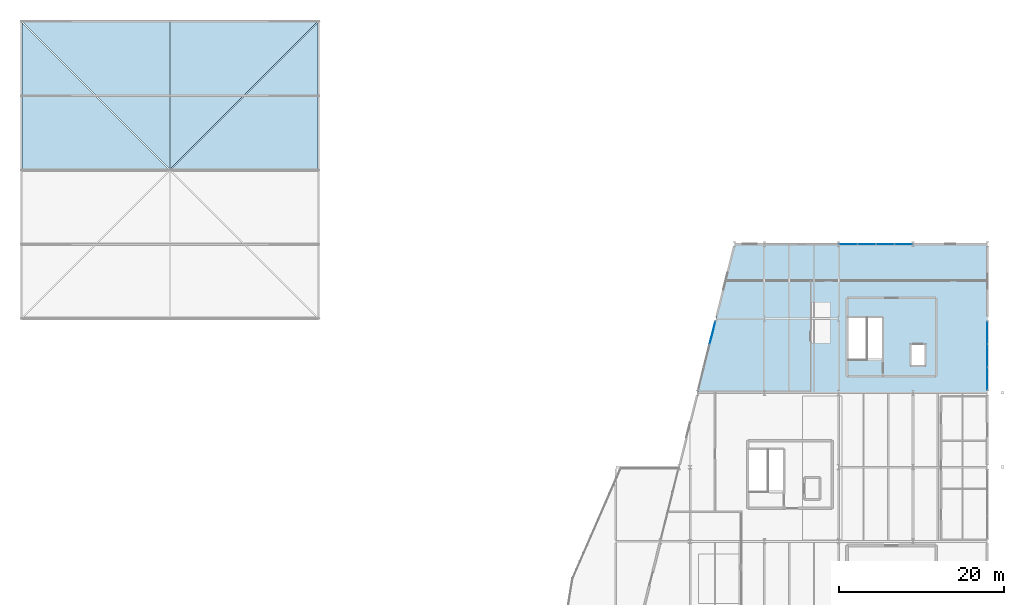
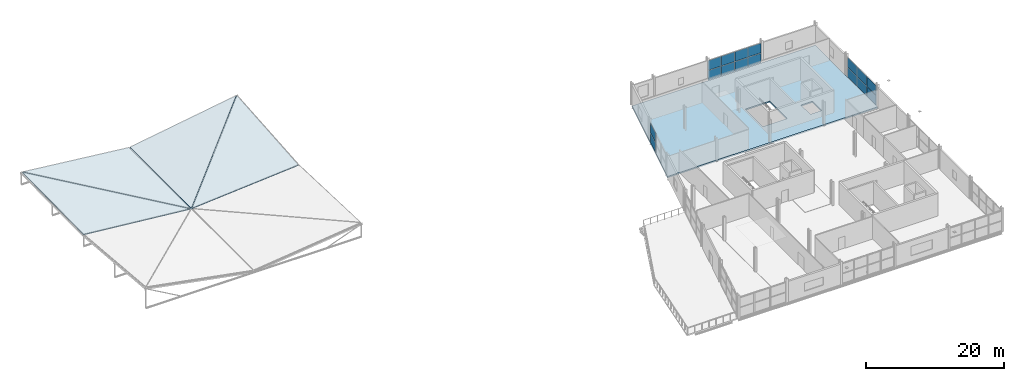
# One storey, part 35 of 44: 16 plates, 5 slabs, 3 elements without a shape of their own.
"""IFC4 building model written with IfcOpenShell, lengths in metres."""

from ifc_helpers import new_model, si_unit, direction, frame, origin, origin_2d, place, context, subcontext, project, spatial, polyline, rectangle, outline, extrude, material, layer, layer_set, type_object, element, aggregate, save


model = new_model("IFC4")

# Units and contexts
model_context = context("Model", 3, precision=1e-05, world=origin(), true_north=direction((0.0, 1.0)))
body_context = subcontext(model_context, "Body", "Model", "MODEL_VIEW")
ifc_project = project(units=[si_unit("LENGTHUNIT", "METRE"), si_unit("AREAUNIT", "SQUARE_METRE"), si_unit("VOLUMEUNIT", "CUBIC_METRE"), si_unit("PLANEANGLEUNIT", "RADIAN"), si_unit("MASSUNIT", "GRAM", prefix="KILO")], contexts=[model_context])

# Site, building, storey
site_placement = place(None, origin())
site = spatial("IfcSite", under=ifc_project, at=site_placement, CompositionType="ELEMENT")
building_placement = place(site_placement, origin())
building = spatial("IfcBuilding", under=site, at=building_placement, Name="Deido Ridge Mobility Hub", CompositionType="ELEMENT")
storey_placement = place(building_placement, frame((0.0, 0.0, 25.199951171875)))
storey = spatial("IfcBuildingStorey", under=building, at=storey_placement, Name="L06", CompositionType="ELEMENT", Elevation=25.199951171875)

# Curtain wall, plates
ifc_material_1 = material(Name="Anodised aluminium EN AW-6063 T6", Category="aluminium")
ifc_layer_1 = layer(ifc_material_1, 0.132080078125, Name="Anodised aluminium EN AW-6063 T6")
ifc_layer_set_1 = layer_set([ifc_layer_1], Name="Anodised aluminium EN AW-6063 T6")
curtain_wall_type_1 = type_object("IfcCurtainWallType", Name="CW-GS-1", PredefinedType="USERDEFINED", material=ifc_layer_set_1)
curtain_wall_1_placement = place(storey_placement, origin())
curtain_wall_1 = element("IfcCurtainWall", 1, at=curtain_wall_1_placement, inside=storey, type_object=curtain_wall_type_1, Name="Unitised curtain wall GS1", ObjectType="GLAZED SCREEN", PredefinedType="USERDEFINED")
ifc_material_2 = material(Name="Laminated solar-control low-E glass", Category="glass")
ifc_layer_2 = layer(ifc_material_2, 0.032958984375, Name="Laminated solar-control low-E glass")
ifc_layer_set_2 = layer_set([ifc_layer_2], Name="Laminated solar-control low-E glass")
plate_type_1 = type_object("IfcPlateType", Name="PLT-CWP-33", PredefinedType="CURTAIN_PANEL", material=ifc_layer_set_2)
plate_1_placement = place(storey_placement, frame((163.14697265625, 54.0, 0.06494140625), z_axis=(0.0, 0.0, 1.0), x_axis=(1.0, 0.0, 0.0)))
plate_1 = element("IfcPlate", 2, at=plate_1_placement, type_object=plate_type_1, Name="GS1 panel 1.1", PredefinedType="CURTAIN_PANEL", context=body_context, shape_type="SweptSolid", body=[
    extrude(rectangle(XDim=2.148681640625, YDim=0.032958984375, at=origin_2d()), origin(), (0.0, 0.0, 1.0), 1.702392578125),
])
plate_2_placement = place(storey_placement, frame((163.14697265625, 54.0, 1.83251953125), z_axis=(0.0, 0.0, 1.0), x_axis=(1.0, 0.0, 0.0)))
plate_2 = element("IfcPlate", 3, at=plate_2_placement, type_object=plate_type_1, Name="GS1 panel 1.2", PredefinedType="CURTAIN_PANEL", context=body_context, shape_type="SweptSolid", body=[
    extrude(rectangle(XDim=2.148681640625, YDim=0.032958984375, at=origin_2d()), origin(), (0.0, 0.0, 1.0), 1.702392578125),
])
plate_3_placement = place(storey_placement, frame((165.376953125, 54.0, 0.06494140625), z_axis=(0.0, 0.0, 1.0), x_axis=(1.0, 0.0, 0.0)))
plate_3 = element("IfcPlate", 4, at=plate_3_placement, type_object=plate_type_1, Name="GS1 panel 2.1", PredefinedType="CURTAIN_PANEL", context=body_context, shape_type="SweptSolid", body=[
    extrude(rectangle(XDim=2.18115234375, YDim=0.032958984375, at=origin_2d()), origin(), (0.0, 0.0, 1.0), 1.702392578125),
])
plate_4_placement = place(storey_placement, frame((165.376953125, 54.0, 1.83251953125), z_axis=(0.0, 0.0, 1.0), x_axis=(1.0, 0.0, 0.0)))
plate_4 = element("IfcPlate", 5, at=plate_4_placement, type_object=plate_type_1, Name="GS1 panel 2.2", PredefinedType="CURTAIN_PANEL", context=body_context, shape_type="SweptSolid", body=[
    extrude(rectangle(XDim=2.18115234375, YDim=0.032958984375, at=origin_2d()), origin(), (0.0, 0.0, 1.0), 1.702392578125),
])
plate_5_placement = place(storey_placement, frame((167.623046875, 54.0, 0.06494140625), z_axis=(0.0, 0.0, 1.0), x_axis=(1.0, 0.0, 0.0)))
plate_5 = element("IfcPlate", 6, at=plate_5_placement, type_object=plate_type_1, Name="GS1 panel 3.1", PredefinedType="CURTAIN_PANEL", context=body_context, shape_type="SweptSolid", body=[
    extrude(rectangle(XDim=2.18115234375, YDim=0.032958984375, at=origin_2d()), origin(), (0.0, 0.0, 1.0), 1.702392578125),
])
plate_6_placement = place(storey_placement, frame((167.623046875, 54.0, 1.83251953125), z_axis=(0.0, 0.0, 1.0), x_axis=(1.0, 0.0, 0.0)))
plate_6 = element("IfcPlate", 7, at=plate_6_placement, type_object=plate_type_1, Name="GS1 panel 3.2", PredefinedType="CURTAIN_PANEL", context=body_context, shape_type="SweptSolid", body=[
    extrude(rectangle(XDim=2.18115234375, YDim=0.032958984375, at=origin_2d()), origin(), (0.0, 0.0, 1.0), 1.702392578125),
])
plate_7_placement = place(storey_placement, frame((169.85302734375, 54.0, 0.06494140625), z_axis=(0.0, 0.0, 1.0), x_axis=(1.0, 0.0, 0.0)))
plate_7 = element("IfcPlate", 8, at=plate_7_placement, type_object=plate_type_1, Name="GS1 panel 4.1", PredefinedType="CURTAIN_PANEL", context=body_context, shape_type="SweptSolid", body=[
    extrude(rectangle(XDim=2.148681640625, YDim=0.032958984375, at=origin_2d()), origin(), (0.0, 0.0, 1.0), 1.702392578125),
])
plate_8_placement = place(storey_placement, frame((169.85302734375, 54.0, 1.83251953125), z_axis=(0.0, 0.0, 1.0), x_axis=(1.0, 0.0, 0.0)))
plate_8 = element("IfcPlate", 9, at=plate_8_placement, type_object=plate_type_1, Name="GS1 panel 4.2", PredefinedType="CURTAIN_PANEL", context=body_context, shape_type="SweptSolid", body=[
    extrude(rectangle(XDim=2.148681640625, YDim=0.032958984375, at=origin_2d()), origin(), (0.0, 0.0, 1.0), 1.702392578125),
])
aggregate(curtain_wall_1, [plate_1, plate_2, plate_3, plate_4, plate_5, plate_6, plate_7, plate_8])

ifc_layer_3 = layer(ifc_material_1, 0.22509765625, Name="Anodised aluminium EN AW-6063 T6")
ifc_layer_set_3 = layer_set([ifc_layer_3], Name="Anodised aluminium EN AW-6063 T6")
curtain_wall_type_2 = type_object("IfcCurtainWallType", Name="CW-UF-5", PredefinedType="USERDEFINED", material=ifc_layer_set_3)
curtain_wall_2_placement = place(storey_placement, origin())
curtain_wall_2 = element("IfcCurtainWall", 10, at=curtain_wall_2_placement, inside=storey, type_object=curtain_wall_type_2, Name="Unitised curtain wall CW5", ObjectType="UNITISED FACADE", PredefinedType="USERDEFINED")
ifc_layer_4 = layer(ifc_material_2, 0.034912109375, Name="Laminated solar-control low-E glass")
ifc_layer_set_4 = layer_set([ifc_layer_4], Name="Laminated solar-control low-E glass")
plate_type_2 = type_object("IfcPlateType", Name="PLT-CWP-35", PredefinedType="CURTAIN_PANEL", material=ifc_layer_set_4)
plate_9_placement = place(storey_placement, frame((180.0, 37.717529296875, 0.06982421875), z_axis=(0.0, 0.0, 1.0), x_axis=(0.0, 1.0, 0.0)))
plate_9 = element("IfcPlate", 11, at=plate_9_placement, type_object=plate_type_2, Name="CW5 panel 1.1", PredefinedType="CURTAIN_PANEL", context=body_context, shape_type="SweptSolid", body=[
    extrude(rectangle(XDim=2.695068359375, YDim=0.034912109375, at=origin_2d()), origin(), (0.0, 0.0, 1.0), 1.695068359375),
])
plate_10_placement = place(storey_placement, frame((180.0, 37.717529296875, 1.8349609375), z_axis=(0.0, 0.0, 1.0), x_axis=(0.0, 1.0, 0.0)))
plate_10 = element("IfcPlate", 12, at=plate_10_placement, type_object=plate_type_2, Name="CW5 panel 1.2", PredefinedType="CURTAIN_PANEL", context=body_context, shape_type="SweptSolid", body=[
    extrude(rectangle(XDim=2.695068359375, YDim=0.034912109375, at=origin_2d()), origin(), (0.0, 0.0, 1.0), 1.695068359375),
])
plate_11_placement = place(storey_placement, frame((180.0, 40.5, 0.06982421875), z_axis=(0.0, 0.0, 1.0), x_axis=(0.0, 1.0, 0.0)))
plate_11 = element("IfcPlate", 13, at=plate_11_placement, type_object=plate_type_2, Name="CW5 panel 2.1", PredefinedType="CURTAIN_PANEL", context=body_context, shape_type="SweptSolid", body=[
    extrude(rectangle(XDim=2.72998046875, YDim=0.034912109375, at=origin_2d()), origin(), (0.0, 0.0, 1.0), 1.695068359375),
])
plate_12_placement = place(storey_placement, frame((180.0, 40.5, 1.8349609375), z_axis=(0.0, 0.0, 1.0), x_axis=(0.0, 1.0, 0.0)))
plate_12 = element("IfcPlate", 14, at=plate_12_placement, type_object=plate_type_2, Name="CW5 panel 2.2", PredefinedType="CURTAIN_PANEL", context=body_context, shape_type="SweptSolid", body=[
    extrude(rectangle(XDim=2.72998046875, YDim=0.034912109375, at=origin_2d()), origin(), (0.0, 0.0, 1.0), 1.695068359375),
])
plate_13_placement = place(storey_placement, frame((180.0, 43.282470703125, 0.06982421875), z_axis=(0.0, 0.0, 1.0), x_axis=(0.0, 1.0, 0.0)))
plate_13 = element("IfcPlate", 15, at=plate_13_placement, type_object=plate_type_2, Name="CW5 panel 3.1", PredefinedType="CURTAIN_PANEL", context=body_context, shape_type="SweptSolid", body=[
    extrude(rectangle(XDim=2.695068359375, YDim=0.034912109375, at=origin_2d()), origin(), (0.0, 0.0, 1.0), 1.695068359375),
])
plate_14_placement = place(storey_placement, frame((180.0, 43.282470703125, 1.8349609375), z_axis=(0.0, 0.0, 1.0), x_axis=(0.0, 1.0, 0.0)))
plate_14 = element("IfcPlate", 16, at=plate_14_placement, type_object=plate_type_2, Name="CW5 panel 3.2", PredefinedType="CURTAIN_PANEL", context=body_context, shape_type="SweptSolid", body=[
    extrude(rectangle(XDim=2.695068359375, YDim=0.034912109375, at=origin_2d()), origin(), (0.0, 0.0, 1.0), 1.695068359375),
])
aggregate(curtain_wall_2, [plate_9, plate_10, plate_11, plate_12, plate_13, plate_14])

ifc_layer_5 = layer(ifc_material_1, 0.27001953125, Name="Anodised aluminium EN AW-6063 T6")
ifc_layer_set_5 = layer_set([ifc_layer_5], Name="Anodised aluminium EN AW-6063 T6")
curtain_wall_type_3 = type_object("IfcCurtainWallType", Name="CW-UF-8", PredefinedType="USERDEFINED", material=ifc_layer_set_5)
curtain_wall_3_placement = place(storey_placement, origin())
curtain_wall_3 = element("IfcCurtainWall", 17, at=curtain_wall_3_placement, inside=storey, type_object=curtain_wall_type_3, Name="Unitised curtain wall CW8", ObjectType="UNITISED FACADE", PredefinedType="USERDEFINED")
ifc_layer_6 = layer(ifc_material_2, 0.0390625, Name="Laminated solar-control low-E glass")
ifc_layer_set_6 = layer_set([ifc_layer_6], Name="Laminated solar-control low-E glass")
plate_type_3 = type_object("IfcPlateType", Name="PLT-CWP-39", PredefinedType="CURTAIN_PANEL", material=ifc_layer_set_6)
plate_15_placement = place(storey_placement, frame((146.71728515625, 43.268798828125, 0.080078125), z_axis=(0.0, 0.0, 1.0), x_axis=(0.242535625038, 0.970142500145, 0.0)))
plate_15 = element("IfcPlate", 18, at=plate_15_placement, type_object=plate_type_3, Name="CW8 panel 3.1", PredefinedType="CURTAIN_PANEL", context=body_context, shape_type="SweptSolid", body=[
    extrude(rectangle(XDim=2.754150390625, YDim=0.0390625, at=origin_2d()), origin(), (0.0, 0.0, 1.0), 1.679931640625),
])
plate_16_placement = place(storey_placement, frame((146.71728515625, 43.268798828125, 1.83984375), z_axis=(0.0, 0.0, 1.0), x_axis=(0.242535625038, 0.970142500145, 0.0)))
plate_16 = element("IfcPlate", 19, at=plate_16_placement, type_object=plate_type_3, Name="CW8 panel 3.2", PredefinedType="CURTAIN_PANEL", context=body_context, shape_type="SweptSolid", body=[
    extrude(rectangle(XDim=2.754150390625, YDim=0.0390625, at=origin_2d()), origin(), (0.0, 0.0, 1.0), 1.679931640625),
])
aggregate(curtain_wall_3, [plate_15, plate_16])

# Slabs
ifc_material_3 = material(Name="Concrete C35/45", Category="concrete")
ifc_layer_7 = layer(ifc_material_3, 0.239990234375, Name="Concrete C35/45")
ifc_layer_set_7 = layer_set([ifc_layer_7], Name="Concrete C35/45")
slab_type_1 = type_object("IfcSlabType", Name="SLB-FLR-240", PredefinedType="FLOOR", material=ifc_layer_set_7)
slab_1_placement = place(storey_placement, frame((0.0, 0.0, -0.239990234375)))
element("IfcSlab", 20, at=slab_1_placement, inside=storey, type_object=slab_type_1, Name="L06 V6 structural deck 70", PredefinedType="FLOOR", context=body_context, shape_type="SweptSolid", body=[
    extrude(outline(polyline([(180.0, 54.0), (180.0, 36.0), (144.89990234375, 36.0), (149.39990234375, 54.0), (180.0, 54.0)]), holes=[polyline([(172.550048828125, 39.25), (170.64990234375, 39.25), (170.64990234375, 41.949951171875), (172.550048828125, 41.949951171875), (172.550048828125, 39.25)]), polyline([(167.239990234375, 40.0), (163.139892578125, 40.0), (163.139892578125, 45.10009765625), (167.239990234375, 45.10009765625), (167.239990234375, 40.0)])]), origin(), (0.0, 0.0, 1.0), 0.239990234375),
])
ifc_layer_8 = layer(ifc_material_3, 0.1201171875, Name="Concrete C35/45")
ifc_layer_set_8 = layer_set([ifc_layer_8], Name="Concrete C35/45")
slab_type_2 = type_object("IfcSlabType", Name="SLB-ROOF-120", PredefinedType="ROOF", material=ifc_layer_set_8)
slab_2_placement = place(storey_placement, frame((63.072021484375, 63.072021484375, 1.993896484375), z_axis=(0.09621918477, -0.011053865447, 0.995298789581), x_axis=(0.995359601909, 0.0, -0.096225063721)))
element("IfcSlab", 21, at=slab_2_placement, inside=storey, type_object=slab_type_2, Name="Sports pavilion folded origami roof Origami-NW1", PredefinedType="ROOF", context=body_context, shape_type="SweptSolid", body=[
    extrude(outline(polyline([(0.0, 0.0), (17.866844819472735, 0.0), (-0.01900538978281876, 17.7850221376888), (0.0, 0.0)])), origin(), (0.0, 0.0, -1.0), 0.1201171875),
])
slab_3_placement = place(storey_placement, frame((63.14404296875, 80.927978515625, 2.1845703125), z_axis=(0.107159136957, 0.0, 0.99424188172), x_axis=(0.70506216181, -0.70506216181, -0.075991420348)))
element("IfcSlab", 22, at=slab_3_placement, inside=storey, type_object=slab_type_2, Name="Sports pavilion folded origami roof Origami-NW2", PredefinedType="ROOF", context=body_context, shape_type="SweptSolid", body=[
    extrude(outline(polyline([(0.0, 0.0), (25.223216490884102, 1.0269562977782698e-15), (12.684436448707224, 12.61139796332314), (0.0, 0.0)])), origin(), (0.0, 0.0, -1.0), 0.1201171875),
])
slab_4_placement = place(storey_placement, frame((81.14404296875, 63.072021484375, 0.277587890625), z_axis=(-0.079465565562, -0.082779471935, 0.993394575643), x_axis=(0.996815757147, 0.0, 0.079739239418)))
element("IfcSlab", 23, at=slab_4_placement, inside=storey, type_object=slab_type_2, Name="Sports pavilion folded origami roof Origami-NE1", PredefinedType="ROOF", context=body_context, shape_type="SweptSolid", body=[
    extrude(outline(polyline([(0.0, 0.0), (17.840744811026756, -1.3877787807814457e-17), (17.95891306865979, 17.84518217824007), (0.0, 0.0)])), origin(), (0.0, 0.0, -1.0), 0.1201171875),
])
slab_5_placement = place(storey_placement, frame((81.072021484375, 63.14404296875, 0.271728515625), z_axis=(-0.161201383919, 0.0, 0.986921533772), x_axis=(0.702437192225, 0.702437192225, 0.114734397445)))
element("IfcSlab", 24, at=slab_5_placement, inside=storey, type_object=slab_type_2, Name="Sports pavilion folded origami roof Origami-NE2", PredefinedType="ROOF", context=body_context, shape_type="SweptSolid", body=[
    extrude(outline(polyline([(0.0, 0.0), (25.317474279137304, -1.5543122344752192e-15), (12.492097752263666, 12.657640273103565), (0.0, 0.0)])), origin(), (0.0, 0.0, -1.0), 0.1201171875),
])

save(model, "model.ifc")
